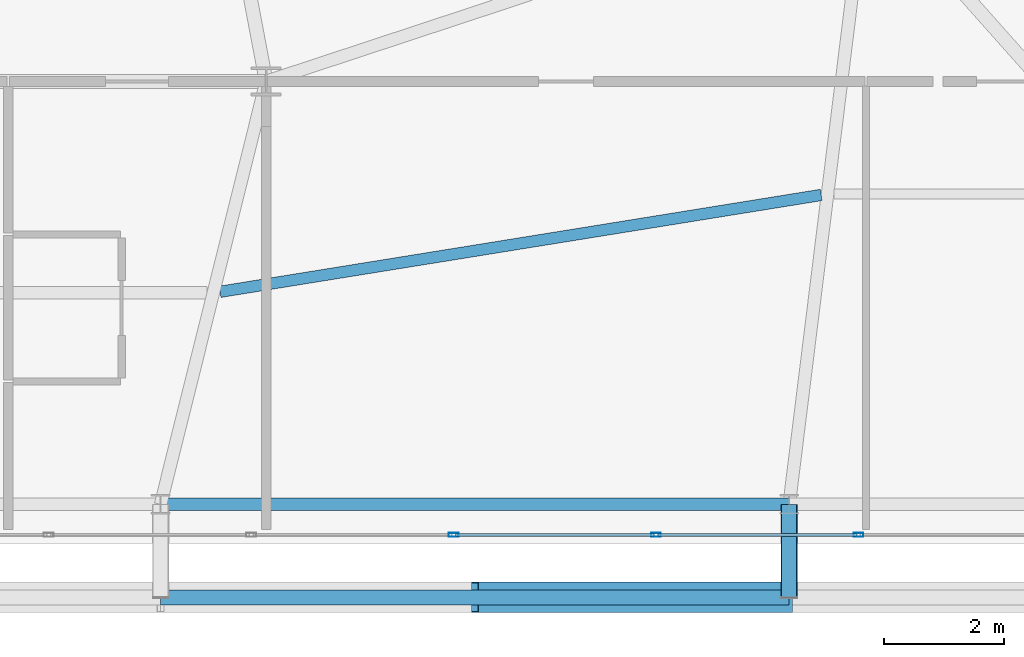
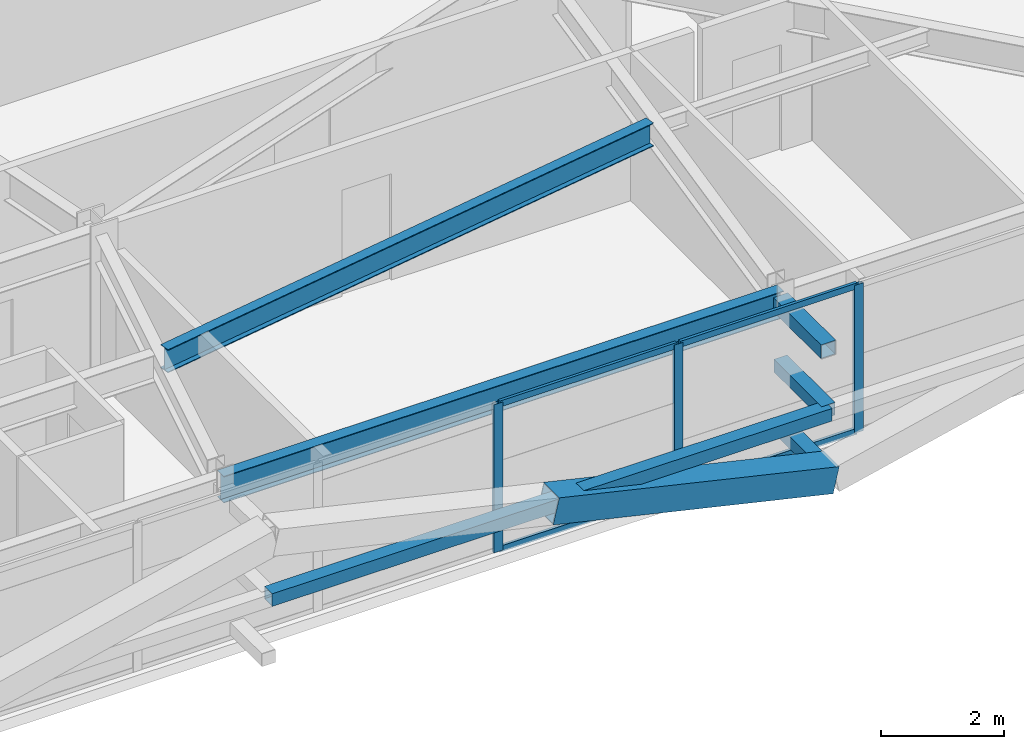
# One storey, part 21 of 59: 12 members, 2 beams, 1 element without a shape of its own.
"""IFC4 building model written with IfcOpenShell, lengths in metres."""

from ifc_helpers import new_model, si_unit, direction, frame, origin, origin_2d, place, context, subcontext, project, spatial, hollow_rectangle, i_section, extrude, source, transform, mapped, material, layer, layer_set, material_profile, profile_set, type_object, element, aggregate, save


model = new_model("IFC4")

# Units and contexts
model_context = context("Model", 3, precision=1e-05, world=origin(), true_north=direction((0.0, 1.0)))
body_context = subcontext(model_context, "Body", "Model", "MODEL_VIEW")
ifc_project = project(units=[si_unit("LENGTHUNIT", "METRE"), si_unit("AREAUNIT", "SQUARE_METRE"), si_unit("VOLUMEUNIT", "CUBIC_METRE"), si_unit("PLANEANGLEUNIT", "RADIAN"), si_unit("MASSUNIT", "GRAM", prefix="KILO")], contexts=[model_context])

# Site, building, storey
site_placement = place(None, origin())
site = spatial("IfcSite", under=ifc_project, at=site_placement, CompositionType="ELEMENT")
building_placement = place(site_placement, origin())
building = spatial("IfcBuilding", under=site, at=building_placement, Name="Taldren Reach Tower", CompositionType="ELEMENT")
storey_placement = place(building_placement, frame((0.0, 0.0, 48.300048828125)))
storey = spatial("IfcBuildingStorey", under=building, at=storey_placement, Name="L14", CompositionType="ELEMENT", Elevation=48.300048828125)

# Beams
ifc_material_1 = material(Name="Steel Gr 350 (350PLUS)", Category="steel")
ifc_material_profile_1 = material_profile(ifc_material_1, i_section(OverallWidth=0.208984375, OverallDepth=0.528076171875, WebThickness=0.009521484375, FlangeThickness=0.01318359375, at=origin_2d()), Name="530UB82.0")
ifc_profile_set_1 = profile_set([ifc_material_profile_1], Name="Steel Gr 350 (350PLUS)")
beam_type_1 = type_object("IfcBeamType", Name="SP-UB530B", PredefinedType="SPANDREL", material=ifc_profile_set_1)
shared_shape_1 = source(origin(), body_context, "Body", "SweptSolid", [
    extrude(i_section(OverallWidth=0.208984375, OverallDepth=0.528076171875, WebThickness=0.009521484375, FlangeThickness=0.01318359375, at=origin_2d()), origin(), (0.0, 0.0, 1.0), 10.47998046875),
])
beam_1_placement = place(storey_placement, frame((40.239990234375, 2.14990234375, 2.666015625), z_axis=(1.0, 0.0, 0.0), x_axis=(0.0, 1.0, 0.0)))
element("IfcBeam", 1, at=beam_1_placement, inside=storey, type_object=beam_type_1, Name="Perimeter spandrel B1 S4-S5 L14", PredefinedType="SPANDREL", context=body_context, shape_type="MappedRepresentation", body=[
    mapped(shared_shape_1, transform((0.0, 0.0, 0.0), scale=1.0)),
])
ifc_material_profile_2 = material_profile(ifc_material_1, i_section(OverallWidth=0.19091796875, OverallDepth=0.4599609375, WebThickness=0.010009765625, FlangeThickness=0.01611328125, at=origin_2d()), Name="460UB82.1")
ifc_profile_set_2 = profile_set([ifc_material_profile_2], Name="Steel Gr 350 (350PLUS)")
beam_type_2 = type_object("IfcBeamType", Name="BM-UB460A", PredefinedType="BEAM", material=ifc_profile_set_2)
shared_shape_2 = source(origin(), body_context, "Body", "SweptSolid", [
    extrude(i_section(OverallWidth=0.19091796875, OverallDepth=0.4599609375, WebThickness=0.010009765625, FlangeThickness=0.01611328125, at=origin_2d()), origin(), (0.0, 0.0, 1.0), 10.1494140625),
])
beam_2_placement = place(storey_placement, frame((41.232177734375, 5.693115234375, 2.699951171875), z_axis=(0.987266967452, 0.159072106224, 0.0), x_axis=(-0.159072106224, 0.987266967452, 0.0)))
element("IfcBeam", 2, at=beam_2_placement, inside=storey, type_object=beam_type_2, Name="Secondary floor beam B1 J4 L14", PredefinedType="BEAM", context=body_context, shape_type="MappedRepresentation", body=[
    mapped(shared_shape_2, transform((0.0, 0.0, 0.0), scale=1.0)),
])

# Members
ifc_material_2 = material(Name="Steel Gr 450 (C450L0)", Category="steel")
ifc_material_profile_3 = material_profile(ifc_material_2, hollow_rectangle(XDim=0.27490234375, YDim=0.27490234375, WallThickness=0.00927734375, at=origin_2d()), Name="275x275x9.3SHS")
ifc_profile_set_3 = profile_set([ifc_material_profile_3], Name="Steel Gr 450 (C450L0)")
member_type_1 = type_object("IfcMemberType", Name="MB-TIE273", PredefinedType="STRUT", material=ifc_profile_set_3)
shared_shape_3 = source(origin(), body_context, "Body", "SweptSolid", [
    extrude(hollow_rectangle(XDim=0.27490234375, YDim=0.27490234375, WallThickness=0.00927734375, at=origin_2d()), origin(), (0.0, 0.0, 1.0), 1.5498046875),
])
member_1_placement = place(storey_placement, frame((50.719970703125, 2.14990234375, 2.64990234375), z_axis=(0.0, -1.0, 0.0), x_axis=(1.0, 0.0, 0.0)))
element("IfcMember", 3, at=member_1_placement, inside=storey, type_object=member_type_1, Name="Exoskeleton diaphragm tie strut B1-S5 L14", PredefinedType="STRUT", context=body_context, shape_type="MappedRepresentation", body=[
    mapped(shared_shape_3, transform((0.0, 0.0, 0.0), scale=1.0)),
])
ifc_material_profile_4 = material_profile(ifc_material_2, hollow_rectangle(XDim=0.510009765625, YDim=0.510009765625, WallThickness=0.02001953125, at=origin_2d()), Name="510x510x20.0SHS")
ifc_profile_set_4 = profile_set([ifc_material_profile_4], Name="Steel Gr 450 (C450L0)")
member_type_2 = type_object("IfcMemberType", Name="MB-EXO508", PredefinedType="BRACE", material=ifc_profile_set_4)
shared_shape_4 = source(origin(), body_context, "Body", "SweptSolid", [
    extrude(hollow_rectangle(XDim=0.510009765625, YDim=0.510009765625, WallThickness=0.02001953125, at=origin_2d()), origin(), (0.0, 0.0, 1.0), 5.37890625),
])
member_2_placement = place(storey_placement, frame((50.719970703125, 0.60009765625, 0.219970703125), z_axis=(-0.97415197996, 0.0, 0.225893603143), x_axis=(0.0, -1.0, 0.0)))
element("IfcMember", 4, at=member_2_placement, inside=storey, type_object=member_type_2, Name="Exoskeleton Diagrid Brace B1-S4 L14", PredefinedType="BRACE", context=body_context, shape_type="MappedRepresentation", body=[
    mapped(shared_shape_4, transform((0.0, 0.0, 0.0), scale=1.0)),
])
ifc_material_3 = material(Name="Steel Gr 350 (C350L0)", Category="steel")
ifc_material_profile_5 = material_profile(ifc_material_3, hollow_rectangle(XDim=0.25, YDim=0.25, WallThickness=0.010009765625, at=origin_2d()), Name="250x250x10.0SHS")
ifc_profile_set_5 = profile_set([ifc_material_profile_5], Name="Steel Gr 350 (C350L0)")
member_type_3 = type_object("IfcMemberType", Name="MB-POST250", PredefinedType="POST", material=ifc_profile_set_5)
shared_shape_5 = source(origin(), body_context, "Body", "SweptSolid", [
    extrude(hollow_rectangle(XDim=0.25, YDim=0.25, WallThickness=0.010009765625, at=origin_2d()), origin(), (0.0, 0.0, 1.0), 10.47998046875),
])
member_3_placement = place(storey_placement, frame((40.239990234375, 0.60009765625, 1.43505859375), z_axis=(1.0, 0.0, 0.0), x_axis=(0.0, 1.0, 0.0)))
element("IfcMember", 5, at=member_3_placement, inside=storey, type_object=member_type_3, Name="Exoskeleton mid-height ring chord B1-S4 L14", PredefinedType="POST", context=body_context, shape_type="MappedRepresentation", body=[
    mapped(shared_shape_5, transform((0.0, 0.0, 0.0), scale=1.0)),
])
shared_shape_6 = source(origin(), body_context, "Body", "SweptSolid", [
    extrude(hollow_rectangle(XDim=0.25, YDim=0.25, WallThickness=0.010009765625, at=origin_2d()), origin(), (0.0, 0.0, 1.0), 1.5498046875),
])
for number, where, z_axis, x_axis, name in (
    (6, (50.719970703125, 2.14990234375, 0.219970703125), (0.0, -1.0, 0.0), (1.0, 0.0, 0.0), "Exoskeleton base diaphragm tie strut B1-S5 L14"),
    (7, (50.719970703125, 2.14990234375, 1.43505859375), (0.0, -1.0, 0.0), (1.0, 0.0, 0.0), "Exoskeleton mid-tier diaphragm tie B1-S5 L14"),
):
    element("IfcMember", number, at=place(storey_placement, frame(where, z_axis=z_axis, x_axis=x_axis)), inside=storey, type_object=member_type_3, Name=name, PredefinedType="POST", context=body_context, shape_type="MappedRepresentation", body=[
        mapped(shared_shape_6, transform((0.0, 0.0, 0.0), scale=1.0)),
    ])

# Curtain wall, members
ifc_material_4 = material(Name="Aluminium and Low-E Glass Unitised System", Category="aluminium")
ifc_layer = layer(ifc_material_4, 0.159912109375)
ifc_layer_set = layer_set([ifc_layer], Name="Aluminium and Low-E Glass Unitised System")
curtain_wall_type = type_object("IfcCurtainWallType", Name="CW-SYS-2", PredefinedType="NOTDEFINED", material=ifc_layer_set)
curtain_wall_placement = place(storey_placement, origin())
curtain_wall = element("IfcCurtainWall", 8, at=curtain_wall_placement, inside=storey, type_object=curtain_wall_type, Name="Unitised curtain wall CW-L14-S", PredefinedType="NOTDEFINED")
ifc_material_5 = material(Name="Anodised Aluminium 6063-T6", Category="aluminium")
ifc_material_profile_6 = material_profile(ifc_material_5, hollow_rectangle(XDim=0.06494140625, YDim=0.1650390625, WallThickness=0.00390625, at=origin_2d()), Name="ALU-165x65x4RHS")
ifc_profile_set_6 = profile_set([ifc_material_profile_6], Name="Anodised Aluminium 6063-T6")
member_type_4 = type_object("IfcMemberType", Name="CW-MUL-165", PredefinedType="MULLION", material=ifc_profile_set_6)
shared_shape_7 = source(origin(), body_context, "Body", "SweptSolid", [
    extrude(hollow_rectangle(XDim=0.06494140625, YDim=0.1650390625, WallThickness=0.00390625, at=origin_2d()), origin(), (0.0, 0.0, 1.0), 2.929931640625),
])
member_4_placement = place(storey_placement, frame((45.125, 1.639892578125, 0.0), z_axis=(0.0, 0.0, 1.0), x_axis=(0.0, 1.0, 0.0)))
member_4 = element("IfcMember", 9, at=member_4_placement, type_object=member_type_4, Name="CW-2 mullion 12", PredefinedType="MULLION", context=body_context, shape_type="MappedRepresentation", body=[
    mapped(shared_shape_7, transform((0.0, 0.0, 0.0), scale=1.0)),
])
member_5_placement = place(storey_placement, frame((48.5, 1.639892578125, 0.0), z_axis=(0.0, 0.0, 1.0), x_axis=(0.0, 1.0, 0.0)))
member_5 = element("IfcMember", 10, at=member_5_placement, type_object=member_type_4, Name="CW-2 mullion 13", PredefinedType="MULLION", context=body_context, shape_type="MappedRepresentation", body=[
    mapped(shared_shape_7, transform((0.0, 0.0, 0.0), scale=1.0)),
])
member_6_placement = place(storey_placement, frame((51.875, 1.639892578125, 0.0), z_axis=(0.0, 0.0, 1.0), x_axis=(0.0, 1.0, 0.0)))
member_6 = element("IfcMember", 11, at=member_6_placement, type_object=member_type_4, Name="CW-2 mullion 14", PredefinedType="MULLION", context=body_context, shape_type="MappedRepresentation", body=[
    mapped(shared_shape_7, transform((0.0, 0.0, 0.0), scale=1.0)),
])
ifc_material_profile_7 = material_profile(ifc_material_5, hollow_rectangle(XDim=0.054931640625, YDim=0.1201171875, WallThickness=0.0029296875, at=origin_2d()), Name="ALU-120x55x3RHS")
ifc_profile_set_7 = profile_set([ifc_material_profile_7], Name="Anodised Aluminium 6063-T6")
member_type_5 = type_object("IfcMemberType", Name="CW-TRN-135", PredefinedType="USERDEFINED", material=ifc_profile_set_7)
shared_shape_8 = source(origin(), body_context, "Body", "SweptSolid", [
    extrude(hollow_rectangle(XDim=0.054931640625, YDim=0.1201171875, WallThickness=0.0029296875, at=origin_2d()), origin(), (0.0, 0.0, 1.0), 3.31005859375),
])
member_7_placement = place(storey_placement, frame((45.157470703125, 1.639892578125, 0.02734375), z_axis=(1.0, 0.0, 0.0), x_axis=(0.0, 1.0, 0.0)))
member_7 = element("IfcMember", 12, at=member_7_placement, type_object=member_type_5, Name="CW-2 transom 12.1", ObjectType="TRANSOM", PredefinedType="USERDEFINED", context=body_context, shape_type="MappedRepresentation", body=[
    mapped(shared_shape_8, transform((0.0, 0.0, 0.0), scale=1.0)),
])
member_8_placement = place(storey_placement, frame((45.157470703125, 1.639892578125, 2.90234375), z_axis=(1.0, 0.0, 0.0), x_axis=(0.0, 1.0, 0.0)))
member_8 = element("IfcMember", 13, at=member_8_placement, type_object=member_type_5, Name="CW-2 transom 12.2", ObjectType="TRANSOM", PredefinedType="USERDEFINED", context=body_context, shape_type="MappedRepresentation", body=[
    mapped(shared_shape_8, transform((0.0, 0.0, 0.0), scale=1.0)),
])
member_9_placement = place(storey_placement, frame((48.532470703125, 1.639892578125, 0.02734375), z_axis=(1.0, 0.0, 0.0), x_axis=(0.0, 1.0, 0.0)))
member_9 = element("IfcMember", 14, at=member_9_placement, type_object=member_type_5, Name="CW-2 transom 13.1", ObjectType="TRANSOM", PredefinedType="USERDEFINED", context=body_context, shape_type="MappedRepresentation", body=[
    mapped(shared_shape_8, transform((0.0, 0.0, 0.0), scale=1.0)),
])
member_10_placement = place(storey_placement, frame((48.532470703125, 1.639892578125, 2.90234375), z_axis=(1.0, 0.0, 0.0), x_axis=(0.0, 1.0, 0.0)))
member_10 = element("IfcMember", 15, at=member_10_placement, type_object=member_type_5, Name="CW-2 transom 13.2", ObjectType="TRANSOM", PredefinedType="USERDEFINED", context=body_context, shape_type="MappedRepresentation", body=[
    mapped(shared_shape_8, transform((0.0, 0.0, 0.0), scale=1.0)),
])
aggregate(curtain_wall, [member_4, member_5, member_6, member_7, member_8, member_9, member_10])

save(model, "model.ifc")
